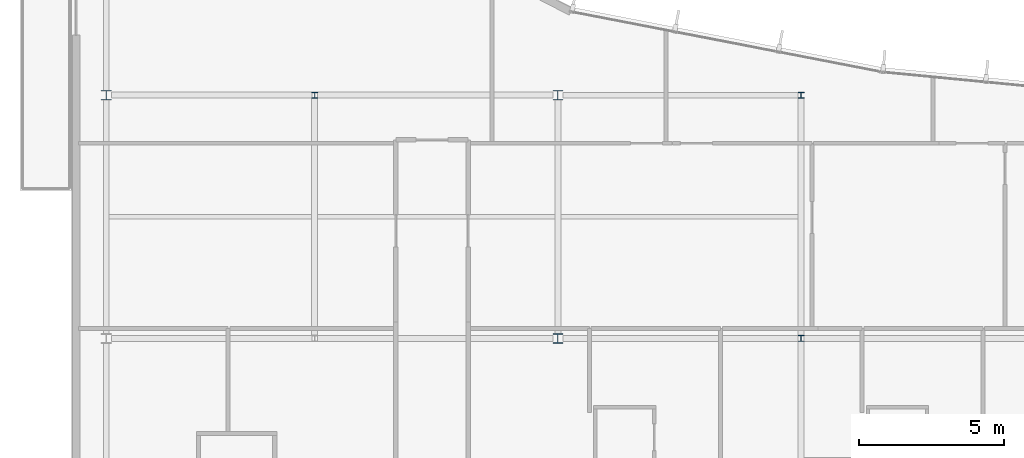
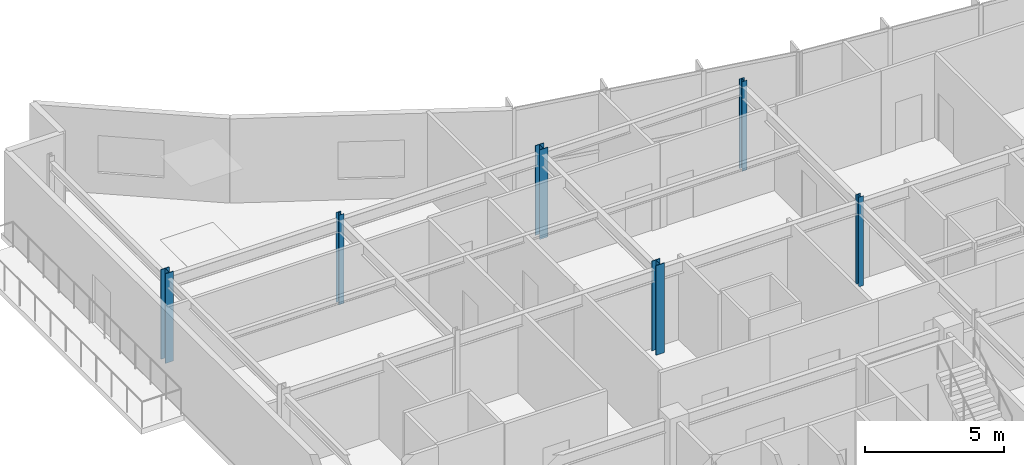
# One storey, part 2 of 15: 6 columns.
"""IFC4 building model written with IfcOpenShell, lengths in metres."""

import ifcopenshell
import ifcopenshell.guid

model = None  # the IFC model being written
_history = None  # IfcOwnerHistory: only IFC2X3 demands one
_inside = {}  # id of a spatial element -> (the spatial element, [elements in it])
_under = {}  # id of a project, library or spatial element -> (it, [spatial elements below it])
_declared = {}  # id of a project -> (the project, [libraries it declares])
_typed = {}  # id of a type object -> (the type object, [elements of that type])
_made_of = {}  # id of a material, layer set ... -> (it, [elements and type objects made of it])


def new_model(schema):
    """Start an empty IFC model of exactly this schema.

    Asked for "IFC4X3", IfcOpenShell would pick the latest addendum, in which some entities
    have other attributes; the version numbers below select the first issue.
    IFC2X3 requires an IfcOwnerHistory on every rooted entity: one is made here for all.
    """
    global model, _history
    if schema == "IFC4X3":
        model = ifcopenshell.file(schema_version=(4, 3, 0, 0))
    else:
        model = ifcopenshell.file(schema=schema)
    _inside.clear()
    _under.clear()
    _declared.clear()
    _typed.clear()
    _made_of.clear()
    _history = None
    if model.schema == "IFC2X3":
        org = make("IfcOrganization", Name="unknown")
        user = make(
            "IfcPersonAndOrganization",
            ThePerson=make("IfcPerson", FamilyName="unknown"),
            TheOrganization=org,
        )
        app = make(
            "IfcApplication",
            ApplicationDeveloper=org,
            Version="unknown",
            ApplicationFullName="unknown",
            ApplicationIdentifier="unknown",
        )
        _history = make(
            "IfcOwnerHistory",
            OwningUser=user,
            OwningApplication=app,
            ChangeAction="ADDED",
            CreationDate=0,
        )
    return model


def make(cls, **values):
    """One entity of the class cls with the attributes given. An attribute that is None is left unset."""
    return model.create_entity(
        cls, **{name: value for name, value in values.items() if value is not None}
    )


def rooted(cls, **values):
    """An entity with a GlobalId (a new one), such as an element, a storey or a relation."""
    return make(cls, GlobalId=ifcopenshell.guid.new(), OwnerHistory=_history, **values)


def si_unit(unit_type, name, prefix=None):
    """IfcSIUnit, for example si_unit("LENGTHUNIT", "METRE", prefix="MILLI")."""
    return make("IfcSIUnit", UnitType=unit_type, Prefix=prefix, Name=name)


def assignment(units):
    """IfcUnitAssignment: the units of a project."""
    return None if units is None else make("IfcUnitAssignment", Units=units)


def point(xyz):
    """IfcCartesianPoint."""
    return None if xyz is None else make("IfcCartesianPoint", Coordinates=xyz)


def direction(xyz):
    """IfcDirection."""
    return None if xyz is None else make("IfcDirection", DirectionRatios=xyz)


def frame(location, z_axis=None, x_axis=None):
    """IfcAxis2Placement3D, a coordinate frame: its origin and axes. An axis left out is left unset."""
    return make(
        "IfcAxis2Placement3D",
        Location=point(location),
        Axis=direction(z_axis),
        RefDirection=direction(x_axis),
    )


def frame_2d(location, x_axis=None):
    """IfcAxis2Placement2D, a coordinate frame in the plane: its origin and x axis."""
    return make(
        "IfcAxis2Placement2D", Location=point(location), RefDirection=direction(x_axis)
    )


def origin():
    """The frame at (0, 0, 0) with its axes left unset."""
    return frame((0.0, 0.0, 0.0))


def origin_2d():
    """The frame at (0, 0) in the plane with its x axis left unset."""
    return frame_2d((0.0, 0.0))


def place(relative_to, where):
    """IfcLocalPlacement: puts the frame where relative to a parent placement (None: the world)."""
    return make(
        "IfcLocalPlacement", PlacementRelTo=relative_to, RelativePlacement=where
    )


def context(
    kind, dimensions, precision=None, world=None, true_north=None, identifier=None
):
    """IfcGeometricRepresentationContext, for example the 3D "Model" context."""
    return make(
        "IfcGeometricRepresentationContext",
        ContextIdentifier=identifier,
        ContextType=kind,
        CoordinateSpaceDimension=dimensions,
        Precision=precision,
        WorldCoordinateSystem=world,
        TrueNorth=true_north,
    )


def subcontext(parent, identifier, kind, view, scale=None):
    """IfcGeometricRepresentationSubContext, for example "Body" below "Model"."""
    return make(
        "IfcGeometricRepresentationSubContext",
        ContextIdentifier=identifier,
        ContextType=kind,
        ParentContext=parent,
        TargetScale=scale,
        TargetView=view,
    )


def project(units=None, contexts=None):
    """IfcProject with its units and contexts."""
    return rooted(
        "IfcProject",
        Name="project",
        RepresentationContexts=contexts,
        UnitsInContext=assignment(units),
    )


def spatial(cls, under=None, at=None, **own):
    """A site, building, storey or space (cls), placed at a placement, below another one or the project."""
    s = rooted(cls, ObjectPlacement=at, **own)
    if under is not None:
        _under.setdefault(under.id(), (under, []))[1].append(s)
    return s


def profile(cls, at=None, kind="AREA", **sizes):
    """A parametric profile (cls). Its sizes go by their IFC names, for example OverallWidth=200.0."""
    return make(cls, ProfileType=kind, Position=at, **sizes)


def i_section(**sizes):
    """IfcIShapeProfileDef."""
    return profile("IfcIShapeProfileDef", **sizes)


def extrude(swept, where, along, depth):
    """IfcExtrudedAreaSolid: the profile swept, set in the frame where, extruded along a direction by depth."""
    return make(
        "IfcExtrudedAreaSolid",
        SweptArea=swept,
        Position=where,
        ExtrudedDirection=direction(along),
        Depth=depth,
    )


def shape(context_of_items, identifier, shape_type, items):
    """IfcShapeRepresentation: the items that make up one representation, for example the "Body"."""
    return make(
        "IfcShapeRepresentation",
        ContextOfItems=context_of_items,
        RepresentationIdentifier=identifier,
        RepresentationType=shape_type,
        Items=items,
    )


def material(Name=None, Category=None):
    """IfcMaterial."""
    return make("IfcMaterial", Name=Name, Category=Category)


def material_profile(
    of_material, cross_section, Name=None, Category=None, Priority=None
):
    """IfcMaterialProfile: a cross section and its material."""
    return make(
        "IfcMaterialProfile",
        Name=Name,
        Material=of_material,
        Profile=cross_section,
        Priority=Priority,
        Category=Category,
    )


def profile_set(profiles, Name=None, composite=None):
    """IfcMaterialProfileSet."""
    return make(
        "IfcMaterialProfileSet",
        Name=Name,
        MaterialProfiles=profiles,
        CompositeProfile=composite,
    )


def made_of(thing, what):
    """Note that an element or type object is made of a material, layer set ...; save() writes the relation."""
    if what is not None:
        _made_of.setdefault(what.id(), (what, []))[1].append(thing)
    return thing


def type_object(cls, material=None, **own):
    """A type object (cls), such as IfcWallType, which elements share."""
    return made_of(rooted(cls, **own), material)


def element(
    cls,
    number,
    at=None,
    inside=None,
    cuts=None,
    type_object=None,
    material=None,
    context=None,
    identifier="Body",
    shape_type=None,
    held_by="IfcProductDefinitionShape",
    body=None,
    shapes=None,
    **own,
):
    """One element of the class cls, such as IfcWall. Its Tag is "e" and its number.

    at: its placement. inside: the storey or other place that contains it. cuts: it is an
    opening in that element (IfcRelVoidsElement). A single representation is given by context,
    identifier, shape_type and body (its items); several are given by shapes. held_by: the class
    of the entity that holds the representations. save() writes the other relations.
    """
    e = rooted(cls, Tag="e%d" % number, ObjectPlacement=at, **own)
    if body is not None:
        shapes = [shape(context, identifier, shape_type, body)]
    if shapes is not None:
        e.Representation = make(held_by, Representations=shapes)
    if inside is not None:
        _inside.setdefault(inside.id(), (inside, []))[1].append(e)
    if cuts is not None:
        rooted(
            "IfcRelVoidsElement", RelatingBuildingElement=cuts, RelatedOpeningElement=e
        )
    if type_object is not None:
        _typed.setdefault(type_object.id(), (type_object, []))[1].append(e)
    return made_of(e, material)


def aggregate(whole, parts):
    """IfcRelAggregates: a whole, such as a stair, and the parts it consists of."""
    return rooted("IfcRelAggregates", RelatingObject=whole, RelatedObjects=parts)


def save(model, path):
    """Write the relations noted so far, then the file.

    IfcRelAggregates (storeys below a building ...), IfcRelContainedInSpatialStructure (elements
    in a storey), IfcRelDefinesByType, IfcRelAssociatesMaterial and IfcRelDeclares: one each for
    every whole, place, type object, material and project.
    """
    for whole, parts in _under.values():
        aggregate(whole, parts)
    for where, things in _inside.values():
        rooted(
            "IfcRelContainedInSpatialStructure",
            RelatedElements=things,
            RelatingStructure=where,
        )
    for kind, things in _typed.values():
        rooted("IfcRelDefinesByType", RelatedObjects=things, RelatingType=kind)
    for what, things in _made_of.values():
        rooted("IfcRelAssociatesMaterial", RelatedObjects=things, RelatingMaterial=what)
    for by, libraries in _declared.values():
        rooted("IfcRelDeclares", RelatingContext=by, RelatedDefinitions=libraries)
    model.write(path)


model = new_model("IFC4")

# Units and contexts
model_context = context("Model", 3, precision=1e-05, world=origin(), true_north=direction((0.0, 1.0)))
body_context = subcontext(model_context, "Body", "Model", "MODEL_VIEW")
ifc_project = project(units=[si_unit("LENGTHUNIT", "METRE"), si_unit("AREAUNIT", "SQUARE_METRE"), si_unit("VOLUMEUNIT", "CUBIC_METRE"), si_unit("PLANEANGLEUNIT", "RADIAN"), si_unit("MASSUNIT", "GRAM", prefix="KILO")], contexts=[model_context])

# Site, building, storey
site_placement = place(None, origin())
site = spatial("IfcSite", under=ifc_project, at=site_placement, CompositionType="ELEMENT")
building_placement = place(site_placement, origin())
building = spatial("IfcBuilding", under=site, at=building_placement, Name="Varnakote Quay Hospital", CompositionType="ELEMENT")
storey_placement = place(building_placement, frame((0.0, 0.0, 284.199951171875)))
storey = spatial("IfcBuildingStorey", under=building, at=storey_placement, Name="L70", CompositionType="ELEMENT", Elevation=284.199951171875)

# Columns
ifc_material_1 = material(Name="Structural steel AS/NZS 3679.1 Grade 350 L0 (fy 340 MPa)", Category="steel")
ifc_material_profile_1 = material_profile(ifc_material_1, i_section(OverallWidth=0.205078125, OverallDepth=0.2099609375, WebThickness=0.00927734375, FlangeThickness=0.01416015625, FilletRadius=0.011474609375, at=origin_2d()), Name="200UC59.5")
ifc_profile_set_1 = profile_set([ifc_material_profile_1], Name="Structural steel AS/NZS 3679.1 Grade 350 L0 (fy 340 MPa)")
column_type_1 = type_object("IfcColumnType", Name="COL-STL-200UC59-5", PredefinedType="COLUMN", material=ifc_profile_set_1)
for number, where, z_axis, x_axis, name in (
    (1, (25.199951171875, 20.39990234375, 0.0), (0.0, 0.0, 1.0), (1.0, 0.0, 0.0), "L70 Structural Column C-25-20"),
    (2, (8.39990234375, 28.800048828125, 0.0), (0.0, 0.0, 1.0), (1.0, 0.0, 0.0), "L70 Structural Column C-8-29"),
    (3, (25.199951171875, 28.800048828125, 0.0), (0.0, 0.0, 1.0), (1.0, 0.0, 0.0), "L70 Structural Column C-25-29"),
):
    element("IfcColumn", number, at=place(storey_placement, frame(where, z_axis=z_axis, x_axis=x_axis)), inside=storey, type_object=column_type_1, Name=name, PredefinedType="COLUMN", context=body_context, shape_type="SweptSolid", body=[
        extrude(i_section(OverallWidth=0.205078125, OverallDepth=0.2099609375, WebThickness=0.00927734375, FlangeThickness=0.01416015625, FilletRadius=0.011474609375, at=origin_2d()), origin(), (0.0, 0.0, 1.0), 3.949951171875),
    ])
ifc_material_2 = material(Name="Structural steel AS/NZS 3678 Grade 350 (fy 340 MPa)", Category="steel")
ifc_material_profile_2 = material_profile(ifc_material_2, i_section(OverallWidth=0.35009765625, OverallDepth=0.340087890625, WebThickness=0.01611328125, FlangeThickness=0.028076171875, at=origin_2d()), Name="350WC197")
ifc_profile_set_2 = profile_set([ifc_material_profile_2], Name="Structural steel AS/NZS 3678 Grade 350 (fy 340 MPa)")
column_type_2 = type_object("IfcColumnType", Name="COL-STL-350WC197", PredefinedType="COLUMN", material=ifc_profile_set_2)
for number, where, z_axis, x_axis, name in (
    (4, (16.800048828125, 20.39990234375, 0.0), (0.0, 0.0, 1.0), (1.0, 0.0, 0.0), "L70 Structural Column C-17-20"),
    (5, (1.199951171875, 28.800048828125, 0.0), (0.0, 0.0, 1.0), (1.0, 0.0, 0.0), "L70 Structural Column C-1-29"),
    (6, (16.800048828125, 28.800048828125, 0.0), (0.0, 0.0, 1.0), (1.0, 0.0, 0.0), "L70 Structural Column C-17-29"),
):
    element("IfcColumn", number, at=place(storey_placement, frame(where, z_axis=z_axis, x_axis=x_axis)), inside=storey, type_object=column_type_2, Name=name, PredefinedType="COLUMN", context=body_context, shape_type="SweptSolid", body=[
        extrude(i_section(OverallWidth=0.35009765625, OverallDepth=0.340087890625, WebThickness=0.01611328125, FlangeThickness=0.028076171875, at=origin_2d()), origin(), (0.0, 0.0, 1.0), 3.949951171875),
    ])

save(model, "model.ifc")
